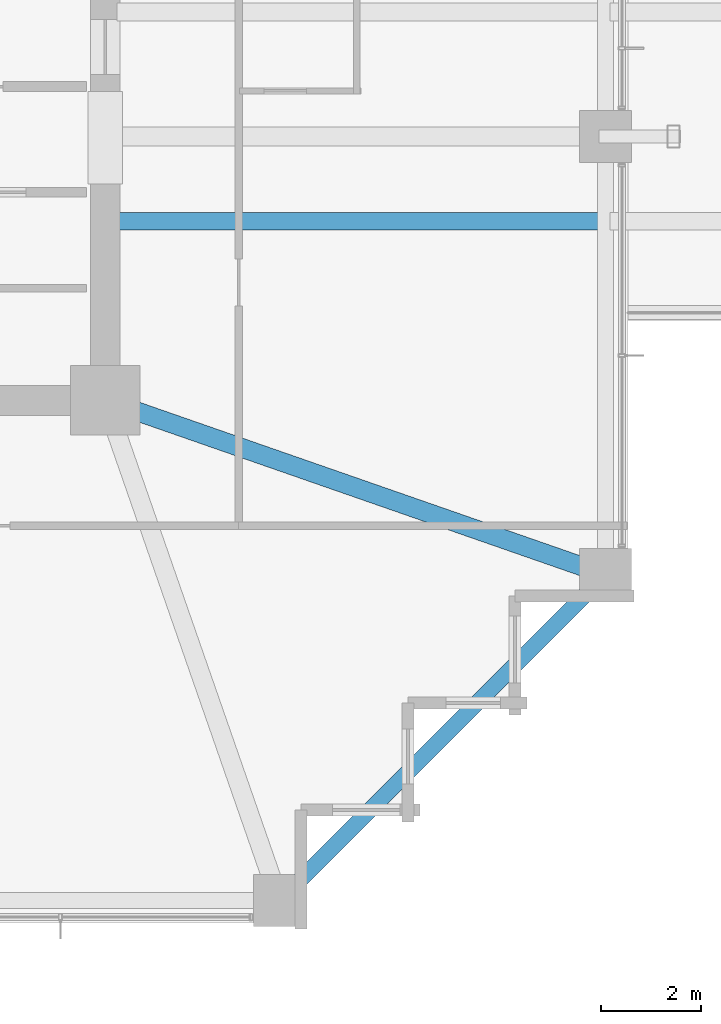
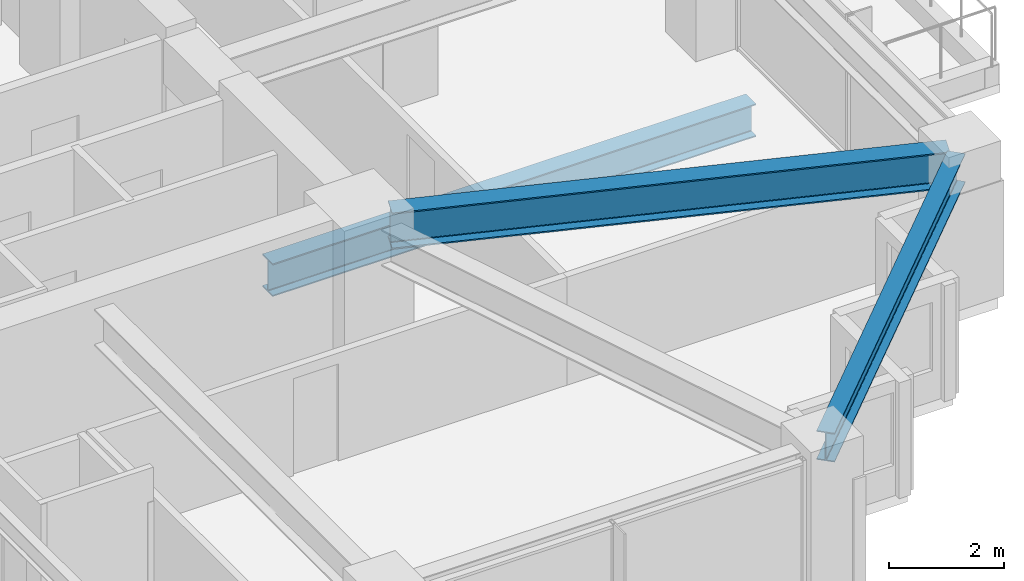
# One storey, part 12 of 37: 3 beams.
"""IFC4 building model written with IfcOpenShell, lengths in metres."""

import ifcopenshell
import ifcopenshell.guid

model = None  # the IFC model being written
_history = None  # IfcOwnerHistory: only IFC2X3 demands one
_inside = {}  # id of a spatial element -> (the spatial element, [elements in it])
_under = {}  # id of a project, library or spatial element -> (it, [spatial elements below it])
_declared = {}  # id of a project -> (the project, [libraries it declares])
_typed = {}  # id of a type object -> (the type object, [elements of that type])
_made_of = {}  # id of a material, layer set ... -> (it, [elements and type objects made of it])


def new_model(schema):
    """Start an empty IFC model of exactly this schema.

    Asked for "IFC4X3", IfcOpenShell would pick the latest addendum, in which some entities
    have other attributes; the version numbers below select the first issue.
    IFC2X3 requires an IfcOwnerHistory on every rooted entity: one is made here for all.
    """
    global model, _history
    if schema == "IFC4X3":
        model = ifcopenshell.file(schema_version=(4, 3, 0, 0))
    else:
        model = ifcopenshell.file(schema=schema)
    _inside.clear()
    _under.clear()
    _declared.clear()
    _typed.clear()
    _made_of.clear()
    _history = None
    if model.schema == "IFC2X3":
        org = make("IfcOrganization", Name="unknown")
        user = make(
            "IfcPersonAndOrganization",
            ThePerson=make("IfcPerson", FamilyName="unknown"),
            TheOrganization=org,
        )
        app = make(
            "IfcApplication",
            ApplicationDeveloper=org,
            Version="unknown",
            ApplicationFullName="unknown",
            ApplicationIdentifier="unknown",
        )
        _history = make(
            "IfcOwnerHistory",
            OwningUser=user,
            OwningApplication=app,
            ChangeAction="ADDED",
            CreationDate=0,
        )
    return model


def make(cls, **values):
    """One entity of the class cls with the attributes given. An attribute that is None is left unset."""
    return model.create_entity(
        cls, **{name: value for name, value in values.items() if value is not None}
    )


def rooted(cls, **values):
    """An entity with a GlobalId (a new one), such as an element, a storey or a relation."""
    return make(cls, GlobalId=ifcopenshell.guid.new(), OwnerHistory=_history, **values)


def si_unit(unit_type, name, prefix=None):
    """IfcSIUnit, for example si_unit("LENGTHUNIT", "METRE", prefix="MILLI")."""
    return make("IfcSIUnit", UnitType=unit_type, Prefix=prefix, Name=name)


def assignment(units):
    """IfcUnitAssignment: the units of a project."""
    return None if units is None else make("IfcUnitAssignment", Units=units)


def point(xyz):
    """IfcCartesianPoint."""
    return None if xyz is None else make("IfcCartesianPoint", Coordinates=xyz)


def direction(xyz):
    """IfcDirection."""
    return None if xyz is None else make("IfcDirection", DirectionRatios=xyz)


def frame(location, z_axis=None, x_axis=None):
    """IfcAxis2Placement3D, a coordinate frame: its origin and axes. An axis left out is left unset."""
    return make(
        "IfcAxis2Placement3D",
        Location=point(location),
        Axis=direction(z_axis),
        RefDirection=direction(x_axis),
    )


def frame_2d(location, x_axis=None):
    """IfcAxis2Placement2D, a coordinate frame in the plane: its origin and x axis."""
    return make(
        "IfcAxis2Placement2D", Location=point(location), RefDirection=direction(x_axis)
    )


def origin():
    """The frame at (0, 0, 0) with its axes left unset."""
    return frame((0.0, 0.0, 0.0))


def origin_2d():
    """The frame at (0, 0) in the plane with its x axis left unset."""
    return frame_2d((0.0, 0.0))


def place(relative_to, where):
    """IfcLocalPlacement: puts the frame where relative to a parent placement (None: the world)."""
    return make(
        "IfcLocalPlacement", PlacementRelTo=relative_to, RelativePlacement=where
    )


def context(
    kind, dimensions, precision=None, world=None, true_north=None, identifier=None
):
    """IfcGeometricRepresentationContext, for example the 3D "Model" context."""
    return make(
        "IfcGeometricRepresentationContext",
        ContextIdentifier=identifier,
        ContextType=kind,
        CoordinateSpaceDimension=dimensions,
        Precision=precision,
        WorldCoordinateSystem=world,
        TrueNorth=true_north,
    )


def subcontext(parent, identifier, kind, view, scale=None):
    """IfcGeometricRepresentationSubContext, for example "Body" below "Model"."""
    return make(
        "IfcGeometricRepresentationSubContext",
        ContextIdentifier=identifier,
        ContextType=kind,
        ParentContext=parent,
        TargetScale=scale,
        TargetView=view,
    )


def project(units=None, contexts=None):
    """IfcProject with its units and contexts."""
    return rooted(
        "IfcProject",
        Name="project",
        RepresentationContexts=contexts,
        UnitsInContext=assignment(units),
    )


def spatial(cls, under=None, at=None, **own):
    """A site, building, storey or space (cls), placed at a placement, below another one or the project."""
    s = rooted(cls, ObjectPlacement=at, **own)
    if under is not None:
        _under.setdefault(under.id(), (under, []))[1].append(s)
    return s


def profile(cls, at=None, kind="AREA", **sizes):
    """A parametric profile (cls). Its sizes go by their IFC names, for example OverallWidth=200.0."""
    return make(cls, ProfileType=kind, Position=at, **sizes)


def i_section(**sizes):
    """IfcIShapeProfileDef."""
    return profile("IfcIShapeProfileDef", **sizes)


def extrude(swept, where, along, depth):
    """IfcExtrudedAreaSolid: the profile swept, set in the frame where, extruded along a direction by depth."""
    return make(
        "IfcExtrudedAreaSolid",
        SweptArea=swept,
        Position=where,
        ExtrudedDirection=direction(along),
        Depth=depth,
    )


def shape(context_of_items, identifier, shape_type, items):
    """IfcShapeRepresentation: the items that make up one representation, for example the "Body"."""
    return make(
        "IfcShapeRepresentation",
        ContextOfItems=context_of_items,
        RepresentationIdentifier=identifier,
        RepresentationType=shape_type,
        Items=items,
    )


def material(Name=None, Category=None):
    """IfcMaterial."""
    return make("IfcMaterial", Name=Name, Category=Category)


def material_profile(
    of_material, cross_section, Name=None, Category=None, Priority=None
):
    """IfcMaterialProfile: a cross section and its material."""
    return make(
        "IfcMaterialProfile",
        Name=Name,
        Material=of_material,
        Profile=cross_section,
        Priority=Priority,
        Category=Category,
    )


def profile_set(profiles, Name=None, composite=None):
    """IfcMaterialProfileSet."""
    return make(
        "IfcMaterialProfileSet",
        Name=Name,
        MaterialProfiles=profiles,
        CompositeProfile=composite,
    )


def made_of(thing, what):
    """Note that an element or type object is made of a material, layer set ...; save() writes the relation."""
    if what is not None:
        _made_of.setdefault(what.id(), (what, []))[1].append(thing)
    return thing


def type_object(cls, material=None, **own):
    """A type object (cls), such as IfcWallType, which elements share."""
    return made_of(rooted(cls, **own), material)


def element(
    cls,
    number,
    at=None,
    inside=None,
    cuts=None,
    type_object=None,
    material=None,
    context=None,
    identifier="Body",
    shape_type=None,
    held_by="IfcProductDefinitionShape",
    body=None,
    shapes=None,
    **own,
):
    """One element of the class cls, such as IfcWall. Its Tag is "e" and its number.

    at: its placement. inside: the storey or other place that contains it. cuts: it is an
    opening in that element (IfcRelVoidsElement). A single representation is given by context,
    identifier, shape_type and body (its items); several are given by shapes. held_by: the class
    of the entity that holds the representations. save() writes the other relations.
    """
    e = rooted(cls, Tag="e%d" % number, ObjectPlacement=at, **own)
    if body is not None:
        shapes = [shape(context, identifier, shape_type, body)]
    if shapes is not None:
        e.Representation = make(held_by, Representations=shapes)
    if inside is not None:
        _inside.setdefault(inside.id(), (inside, []))[1].append(e)
    if cuts is not None:
        rooted(
            "IfcRelVoidsElement", RelatingBuildingElement=cuts, RelatedOpeningElement=e
        )
    if type_object is not None:
        _typed.setdefault(type_object.id(), (type_object, []))[1].append(e)
    return made_of(e, material)


def aggregate(whole, parts):
    """IfcRelAggregates: a whole, such as a stair, and the parts it consists of."""
    return rooted("IfcRelAggregates", RelatingObject=whole, RelatedObjects=parts)


def save(model, path):
    """Write the relations noted so far, then the file.

    IfcRelAggregates (storeys below a building ...), IfcRelContainedInSpatialStructure (elements
    in a storey), IfcRelDefinesByType, IfcRelAssociatesMaterial and IfcRelDeclares: one each for
    every whole, place, type object, material and project.
    """
    for whole, parts in _under.values():
        aggregate(whole, parts)
    for where, things in _inside.values():
        rooted(
            "IfcRelContainedInSpatialStructure",
            RelatedElements=things,
            RelatingStructure=where,
        )
    for kind, things in _typed.values():
        rooted("IfcRelDefinesByType", RelatedObjects=things, RelatingType=kind)
    for what, things in _made_of.values():
        rooted("IfcRelAssociatesMaterial", RelatedObjects=things, RelatingMaterial=what)
    for by, libraries in _declared.values():
        rooted("IfcRelDeclares", RelatingContext=by, RelatedDefinitions=libraries)
    model.write(path)


model = new_model("IFC4")

# Units and contexts
model_context = context("Model", 3, precision=1e-05, world=origin(), true_north=direction((0.0, 1.0)))
body_context = subcontext(model_context, "Body", "Model", "MODEL_VIEW")
ifc_project = project(units=[si_unit("LENGTHUNIT", "METRE"), si_unit("AREAUNIT", "SQUARE_METRE"), si_unit("VOLUMEUNIT", "CUBIC_METRE"), si_unit("PLANEANGLEUNIT", "RADIAN"), si_unit("MASSUNIT", "GRAM", prefix="KILO")], contexts=[model_context])

# Site, building, storey
site_placement = place(None, origin())
site = spatial("IfcSite", under=ifc_project, at=site_placement, CompositionType="ELEMENT")
building_placement = place(site_placement, origin())
building = spatial("IfcBuilding", under=site, at=building_placement, Name="Kolvaren Belvedere", CompositionType="ELEMENT")
storey_placement = place(building_placement, frame((0.0, 0.0, 82.10009765625)))
storey = spatial("IfcBuildingStorey", under=building, at=storey_placement, Name="L23", CompositionType="ELEMENT", Elevation=82.10009765625)

# Beams
ifc_material_1 = material(Name="Structural steel ASTM A992 Grade 50", Category="steel")
ifc_material_profile_1 = material_profile(ifc_material_1, i_section(OverallWidth=0.35498046875, OverallDepth=0.696044921875, WebThickness=0.015380859375, FlangeThickness=0.02490234375, FilletRadius=0.02197265625, at=origin_2d()), Name="W27X146")
ifc_profile_set_1 = profile_set([ifc_material_profile_1], Name="Structural steel ASTM A992 Grade 50")
beam_type_1 = type_object("IfcBeamType", Name="BM-GIRD-W27X146", PredefinedType="BEAM", material=ifc_profile_set_1)
beam_1_placement = place(storey_placement, frame((10.139892578125, -6.300048828125, -0.568115234375), z_axis=(1.0, 0.0, 0.0), x_axis=(0.0, 1.0, 0.0)))
element("IfcBeam", 1, at=beam_1_placement, inside=storey, type_object=beam_type_1, Name="L23 Balcony Interior Back-Span Girder SPIRAL-03-E-1", PredefinedType="BEAM", context=body_context, shape_type="SweptSolid", body=[
    extrude(i_section(OverallWidth=0.35498046875, OverallDepth=0.696044921875, WebThickness=0.015380859375, FlangeThickness=0.02490234375, FilletRadius=0.02197265625, at=origin_2d()), origin(), (0.0, 0.0, 1.0), 9.715087890625),
])
ifc_material_2 = material(Name="Structural steel ASTM A992 Grade 50", Category="steel")
ifc_material_profile_2 = material_profile(ifc_material_2, i_section(OverallWidth=0.381103515625, OverallDepth=0.77294921875, WebThickness=0.0166015625, FlangeThickness=0.027099609375, FilletRadius=0.02392578125, at=origin_2d()), Name="W30X173")
ifc_profile_set_2 = profile_set([ifc_material_profile_2], Name="Structural steel ASTM A992 Grade 50")
beam_type_2 = type_object("IfcBeamType", Name="BM-GIRD-W30X173", PredefinedType="BEAM", material=ifc_profile_set_2)
beam_2_placement = place(storey_placement, frame((10.41943359375, -10.080810546875, 2.693359375), z_axis=(0.944371408538, -0.328880894453, 0.0), x_axis=(0.328880894453, 0.944371408538, 0.0)))
element("IfcBeam", 2, at=beam_2_placement, inside=storey, type_object=beam_type_2, Name="L23 Corner Core-to-Perimeter Girder CC2-E1", PredefinedType="BEAM", context=body_context, shape_type="SweptSolid", body=[
    extrude(i_section(OverallWidth=0.381103515625, OverallDepth=0.77294921875, WebThickness=0.0166015625, FlangeThickness=0.027099609375, FilletRadius=0.02392578125, at=origin_2d()), origin(), (0.0, 0.0, 1.0), 9.882080078125),
])
ifc_material_3 = material(Name="Structural steel ASTM A992 Grade 50", Category="steel")
ifc_material_profile_3 = material_profile(ifc_material_3, i_section(OverallWidth=0.324951171875, OverallDepth=0.615966796875, WebThickness=0.013916015625, FlangeThickness=0.021484375, FilletRadius=0.02001953125, at=origin_2d()), Name="W24X117")
ifc_profile_set_3 = profile_set([ifc_material_profile_3], Name="Structural steel ASTM A992 Grade 50")
beam_type_3 = type_object("IfcBeamType", Name="BM-SPAN-W24X117", PredefinedType="SPANDREL", material=ifc_profile_set_3)
beam_3_placement = place(storey_placement, frame((13.567138671875, -19.782958984375, 2.77197265625), z_axis=(0.707106781187, 0.707106781187, 0.0), x_axis=(-0.707106781187, 0.707106781187, 0.0)))
element("IfcBeam", 3, at=beam_3_placement, inside=storey, type_object=beam_type_3, Name="L23 Perimeter Spandrel S4-E1", PredefinedType="SPANDREL", context=body_context, shape_type="SweptSolid", body=[
    extrude(i_section(OverallWidth=0.324951171875, OverallDepth=0.615966796875, WebThickness=0.013916015625, FlangeThickness=0.021484375, FilletRadius=0.02001953125, at=origin_2d()), origin(), (0.0, 0.0, 1.0), 8.79052734375),
])

save(model, "model.ifc")
